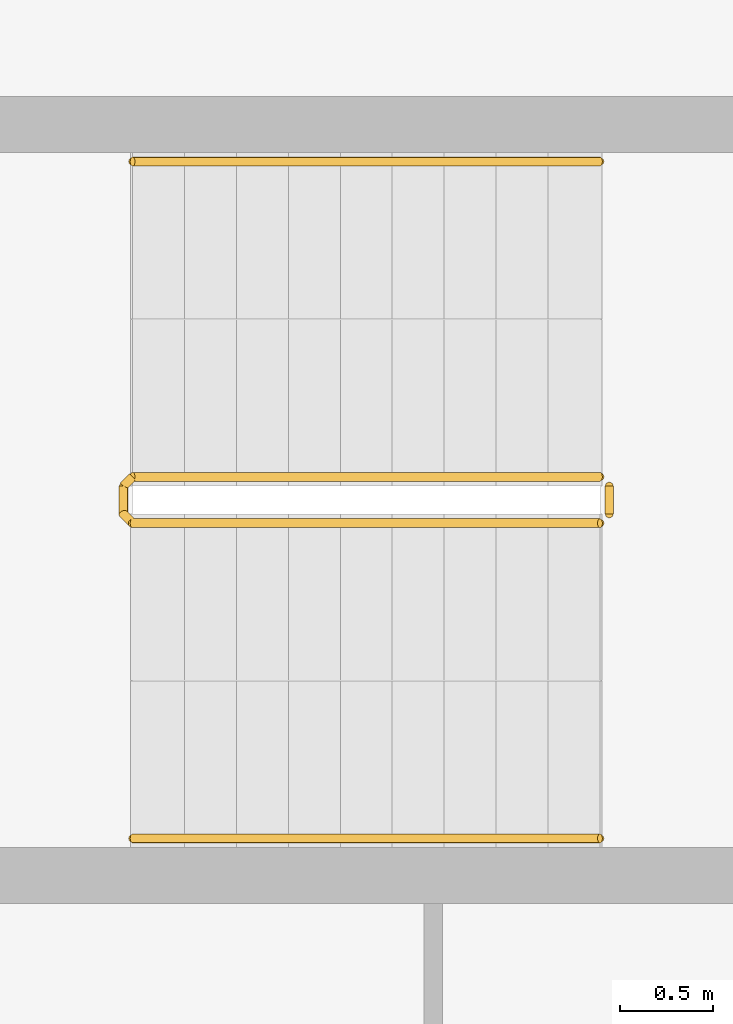
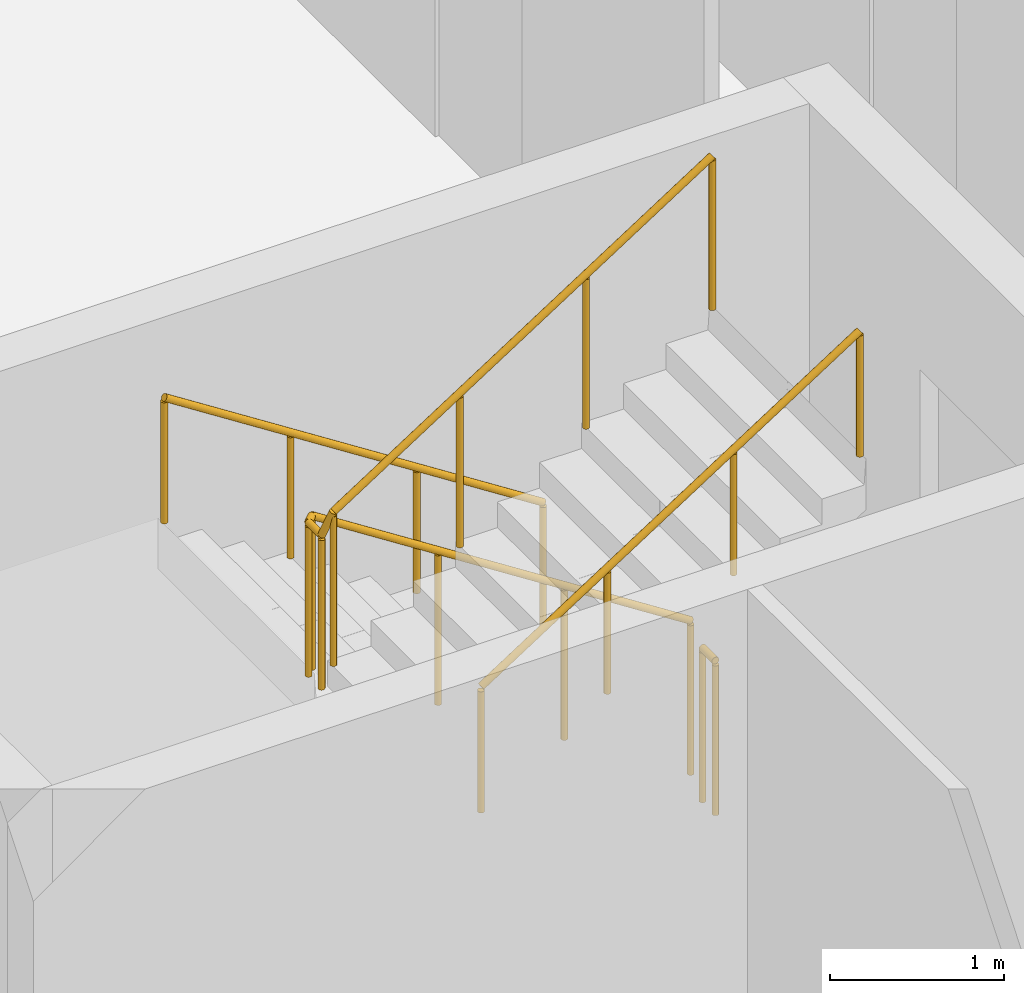
# One storey, part 24 of 27: 4 railings.
"""IFC4 building model written with IfcOpenShell, lengths in metres."""

from ifc_helpers import new_model, si_unit, direction, frame, origin, origin_2d, place, context, subcontext, project, spatial, circle, extrude, material, type_object, element, save


model = new_model("IFC4")

# Units and contexts
model_context = context("Model", 3, precision=1e-05, world=origin(), true_north=direction((0.0, 1.0)))
body_context = subcontext(model_context, "Body", "Model", "MODEL_VIEW")
ifc_project = project(units=[si_unit("LENGTHUNIT", "METRE"), si_unit("AREAUNIT", "SQUARE_METRE"), si_unit("VOLUMEUNIT", "CUBIC_METRE"), si_unit("PLANEANGLEUNIT", "RADIAN"), si_unit("MASSUNIT", "GRAM", prefix="KILO")], contexts=[model_context])

# Site, building, storey
site_placement = place(None, origin())
site = spatial("IfcSite", under=ifc_project, at=site_placement, CompositionType="ELEMENT")
building_placement = place(site_placement, origin())
building = spatial("IfcBuilding", under=site, at=building_placement, Name="Wharfspan Tower", CompositionType="ELEMENT")
storey_placement = place(building_placement, frame((0.0, 0.0, 111.100098)))
storey = spatial("IfcBuildingStorey", under=building, at=storey_placement, Name="L25", CompositionType="ELEMENT", Elevation=111.100098)

# Railings
ifc_material = material(Name="Steel S355J2", Category="steel")
railing_type_1 = type_object("IfcRailingType", Name="Stair guard 1100", PredefinedType="GUARDRAIL", material=ifc_material)
railing_1_placement = place(storey_placement, frame((13.899902, 22.824951, 0.179932)))
element("IfcRailing", 1, at=railing_1_placement, inside=storey, type_object=railing_type_1, Name="L25 ST3 stair guard 1", PredefinedType="GUARDRAIL", context=body_context, shape_type="SweptSolid", body=[
    extrude(circle(Radius=0.023926, at=origin_2d()), frame((0.0, 0.0, 1.076172), z_axis=(-0.8412, 0.0, 0.540725), x_axis=(0.0, -1.0, 0.0)), (0.0, 0.0, 1.0), 2.99585),
    extrude(circle(Radius=0.023926, at=origin_2d()), frame((-2.52002, 0.0, 2.695801), z_axis=(-0.705376, -0.708834, 0.0), x_axis=(0.708834, -0.705376, 0.0)), (0.0, 0.0, 1.0), 0.070557),
    extrude(circle(Radius=0.023926, at=origin_2d()), frame((-2.569824, -0.050049, 2.695801), z_axis=(0.0, -1.0, 0.0), x_axis=(1.0, 0.0, 0.0)), (0.0, 0.0, 1.0), 0.149902),
    extrude(circle(Radius=0.023926, at=origin_2d()), frame((-2.569824, -0.199951, 2.695801), z_axis=(0.257366, -0.258628, 0.931061), x_axis=(0.708838, 0.705372, -2e-06)), (0.0, 0.0, 1.0), 0.193604),
    extrude(circle(Radius=0.023926, at=origin_2d()), frame((-2.52002, -0.25, 2.875977), z_axis=(0.8412, 0.0, 0.540725), x_axis=(0.0, 1.0, 0.0)), (0.0, 0.0, 1.0), 2.99585),
    extrude(circle(Radius=0.020996, at=origin_2d()), origin(), (0.0, 0.0, 1.0), 1.052002),
    extrude(circle(Radius=0.020996, at=origin_2d()), frame((-0.840088, 0.0, 0.540039)), (0.0, 0.0, 1.0), 1.052002),
    extrude(circle(Radius=0.020996, at=origin_2d()), frame((-1.679932, 0.0, 1.079834)), (0.0, 0.0, 1.0), 1.052002),
    extrude(circle(Radius=0.020996, at=origin_2d()), frame((-2.52002, 0.0, 1.619873)), (0.0, 0.0, 1.0), 1.052002),
    extrude(circle(Radius=0.020996, at=origin_2d()), frame((-2.569824, -0.050049, 1.619873)), (0.0, 0.0, 1.0), 1.052002),
    extrude(circle(Radius=0.020996, at=origin_2d()), frame((-2.569824, -0.199951, 1.619873)), (0.0, 0.0, 1.0), 1.052002),
    extrude(circle(Radius=0.020996, at=origin_2d()), frame((-2.52002, -0.25, 1.800049)), (0.0, 0.0, 1.0), 1.052002),
    extrude(circle(Radius=0.020996, at=origin_2d()), frame((-1.679932, -0.25, 2.340088)), (0.0, 0.0, 1.0), 1.052002),
    extrude(circle(Radius=0.020996, at=origin_2d()), frame((-0.840088, -0.25, 2.879883)), (0.0, 0.0, 1.0), 1.052002),
    extrude(circle(Radius=0.020996, at=origin_2d()), frame((0.0, -0.25, 3.419922)), (0.0, 0.0, 1.0), 1.052002),
])
railing_2_placement = place(storey_placement, frame((13.949951, 22.774902, 0.0)))
element("IfcRailing", 2, at=railing_2_placement, inside=storey, type_object=railing_type_1, Name="L25 ST3 stair guard 2", PredefinedType="GUARDRAIL", context=body_context, shape_type="SweptSolid", body=[
    extrude(circle(Radius=0.023926, at=origin_2d()), frame((0.0, 0.0, 1.076172), z_axis=(0.0, -1.0, 0.0), x_axis=(1.0, 0.0, 0.0)), (0.0, 0.0, 1.0), 0.149902),
    extrude(circle(Radius=0.020996, at=origin_2d()), origin(), (0.0, 0.0, 1.0), 1.052002),
    extrude(circle(Radius=0.020996, at=origin_2d()), frame((0.0, -0.149902, 0.0)), (0.0, 0.0, 1.0), 1.052002),
])
railing_type_2 = type_object("IfcRailingType", Name="Stair handrail 900", PredefinedType="HANDRAIL", material=ifc_material)
railing_3_placement = place(storey_placement, frame((13.899902, 24.524902, 0.179932)))
element("IfcRailing", 3, at=railing_3_placement, inside=storey, type_object=railing_type_2, Name="L25 ST3 stair handrail 1", PredefinedType="HANDRAIL", context=body_context, shape_type="SweptSolid", body=[
    extrude(circle(Radius=0.023926, at=origin_2d()), frame((0.0, 0.0, 0.875977), z_axis=(-0.8412, 0.0, 0.540725), x_axis=(0.0, -1.0, 0.0)), (0.0, 0.0, 1.0), 2.99585),
    extrude(circle(Radius=0.020996, at=origin_2d()), origin(), (0.0, 0.0, 1.0), 0.851807),
    extrude(circle(Radius=0.020996, at=origin_2d()), frame((-0.840088, 0.0, 0.540039)), (0.0, 0.0, 1.0), 0.851807),
    extrude(circle(Radius=0.020996, at=origin_2d()), frame((-1.679932, 0.0, 1.079834)), (0.0, 0.0, 1.0), 0.851807),
    extrude(circle(Radius=0.020996, at=origin_2d()), frame((-2.52002, 0.0, 1.619873)), (0.0, 0.0, 1.0), 0.851807),
])
railing_4_placement = place(storey_placement, frame((11.379883, 20.875, 1.97998)))
element("IfcRailing", 4, at=railing_4_placement, inside=storey, type_object=railing_type_2, Name="L25 ST3 stair handrail 2", PredefinedType="HANDRAIL", context=body_context, shape_type="SweptSolid", body=[
    extrude(circle(Radius=0.023926, at=origin_2d()), frame((0.0, 0.0, 0.875977), z_axis=(0.8412, 0.0, 0.540725), x_axis=(0.0, 1.0, 0.0)), (0.0, 0.0, 1.0), 2.99585),
    extrude(circle(Radius=0.020996, at=origin_2d()), origin(), (0.0, 0.0, 1.0), 0.851807),
    extrude(circle(Radius=0.020996, at=origin_2d()), frame((0.840088, 0.0, 0.540039)), (0.0, 0.0, 1.0), 0.851807),
    extrude(circle(Radius=0.020996, at=origin_2d()), frame((1.679932, 0.0, 1.079834)), (0.0, 0.0, 1.0), 0.851807),
    extrude(circle(Radius=0.020996, at=origin_2d()), frame((2.52002, 0.0, 1.619873)), (0.0, 0.0, 1.0), 0.851807),
])

save(model, "model.ifc")
